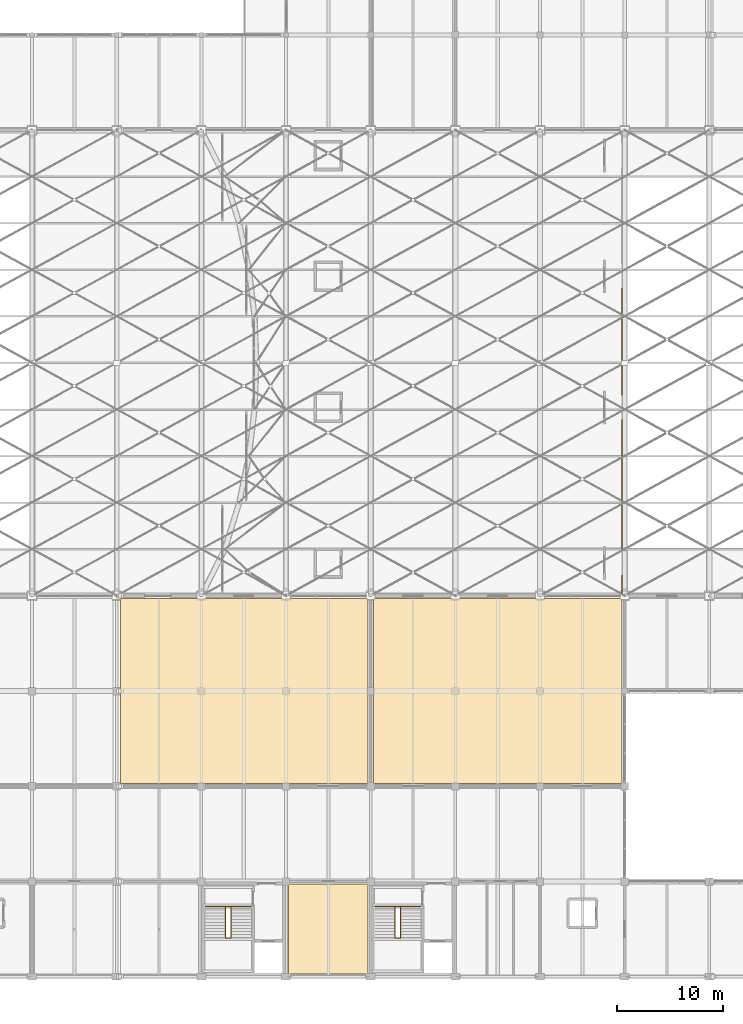
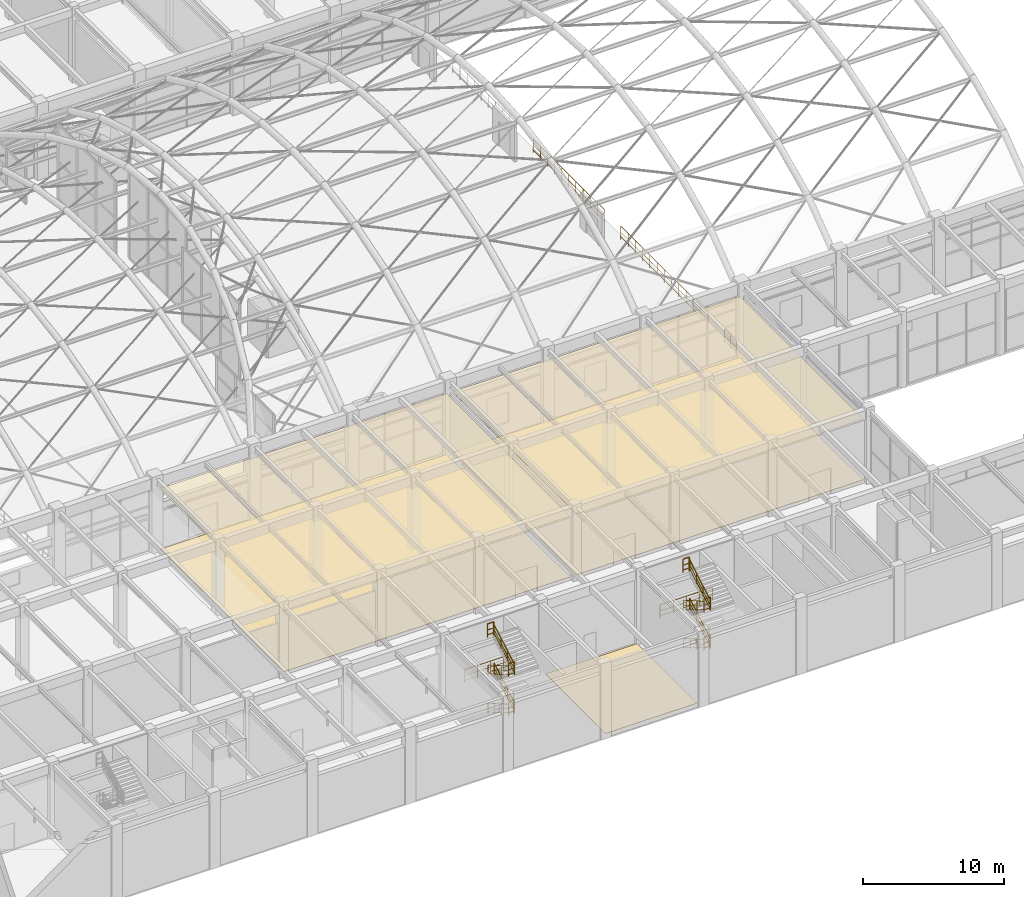
# One storey, part 157 of 163: 19 railings, 5 coverings.
"""IFC4 building model written with IfcOpenShell, lengths in metres."""

from ifc_helpers import new_model, si_unit, direction, frame, origin, origin_2d, place, context, subcontext, project, spatial, polyline, circle, outline, extrude, material, layer, layer_set, type_object, element, save


model = new_model("IFC4")

# Units and contexts
model_context = context("Model", 3, precision=1e-05, world=origin(), true_north=direction((0.0, 1.0)))
body_context = subcontext(model_context, "Body", "Model", "MODEL_VIEW")
ifc_project = project(units=[si_unit("LENGTHUNIT", "METRE"), si_unit("AREAUNIT", "SQUARE_METRE"), si_unit("VOLUMEUNIT", "CUBIC_METRE"), si_unit("PLANEANGLEUNIT", "RADIAN"), si_unit("MASSUNIT", "GRAM", prefix="KILO")], contexts=[model_context])

# Site, building, storey
site_placement = place(None, origin())
site = spatial("IfcSite", under=ifc_project, at=site_placement, CompositionType="ELEMENT")
building_placement = place(site_placement, origin())
building = spatial("IfcBuilding", under=site, at=building_placement, Name="Varnabhumi Central Station", CompositionType="ELEMENT")
storey_placement = place(building_placement, frame((0.0, 0.0, 9.60009765625)))
storey = spatial("IfcBuildingStorey", under=building, at=storey_placement, Name="L02", CompositionType="ELEMENT", Elevation=9.60009765625)

# Coverings
ifc_material_1 = material(Name="Mineral-fibre acoustic tile")
ifc_layer_1 = layer(ifc_material_1, 0.02490234375, Name="Mineral-fibre acoustic tile")
ifc_layer_set_1 = layer_set([ifc_layer_1], Name="Mineral-fibre acoustic tile")
covering_type_1 = type_object("IfcCoveringType", Name="COV-CEIL-ACOUSTIC", PredefinedType="CEILING", material=ifc_layer_set_1)
covering_1_placement = place(storey_placement, frame((0.0, 0.0, 5.27001953125)))
element("IfcCovering", 1, at=covering_1_placement, inside=storey, type_object=covering_type_1, Name="South General Waiting Hall Acoustic Ceiling", PredefinedType="CEILING", context=body_context, shape_type="SweptSolid", body=[
    extrude(outline(polyline([(64.35009765625, 18.25), (87.75, 18.25), (87.75, 35.75), (64.35009765625, 35.75), (64.35009765625, 18.25)])), origin(), (0.0, 0.0, 1.0), 0.02490234375),
])
covering_2_placement = place(storey_placement, frame((0.0, 0.0, 5.27001953125)))
element("IfcCovering", 2, at=covering_2_placement, inside=storey, type_object=covering_type_1, Name="Family Waiting Hall Acoustic Ceiling", PredefinedType="CEILING", context=body_context, shape_type="SweptSolid", body=[
    extrude(outline(polyline([(88.25, 18.25), (111.75, 18.25), (111.75, 35.75), (88.25, 35.75), (88.25, 18.25)])), origin(), (0.0, 0.0, 1.0), 0.02490234375),
])
ifc_material_2 = material(Name="Vitrified granite stone flooring", Category="masonry")
ifc_layer_2 = layer(ifc_material_2, 0.030029296875, Name="Vitrified granite stone flooring", Category="masonry")
ifc_layer_set_2 = layer_set([ifc_layer_2], Name="Vitrified granite stone flooring")
covering_type_2 = type_object("IfcCoveringType", Name="COV-FLOR-GRANITE", PredefinedType="FLOORING", material=ifc_layer_set_2)
covering_3_placement = place(storey_placement, origin())
element("IfcCovering", 3, at=covering_3_placement, inside=storey, type_object=covering_type_2, Name="South General Waiting Hall Granite Flooring", PredefinedType="FLOORING", context=body_context, shape_type="SweptSolid", body=[
    extrude(outline(polyline([(64.35009765625, 18.25), (87.75, 18.25), (87.75, 35.75), (64.35009765625, 35.75), (64.35009765625, 18.25)])), origin(), (0.0, 0.0, 1.0), 0.02978515625),
])
covering_4_placement = place(storey_placement, origin())
element("IfcCovering", 4, at=covering_4_placement, inside=storey, type_object=covering_type_2, Name="Concourse Rail Pass and Tourist Bureau Granite Flooring", PredefinedType="FLOORING", context=body_context, shape_type="SweptSolid", body=[
    extrude(outline(polyline([(80.25, 0.25), (87.75, 0.25), (87.75, 8.75), (80.25, 8.75), (80.25, 0.25)])), origin(), (0.0, 0.0, 1.0), 0.02978515625),
])
covering_5_placement = place(storey_placement, origin())
element("IfcCovering", 5, at=covering_5_placement, inside=storey, type_object=covering_type_2, Name="Family Waiting Hall Granite Flooring", PredefinedType="FLOORING", context=body_context, shape_type="SweptSolid", body=[
    extrude(outline(polyline([(88.25, 18.25), (111.75, 18.25), (111.75, 35.75), (88.25, 35.75), (88.25, 18.25)])), origin(), (0.0, 0.0, 1.0), 0.02978515625),
])

# Railings
ifc_material_3 = material(Name="Stainless steel Grade 316", Category="steel")
railing_type_1 = type_object("IfcRailingType", Name="RAIL-GUARD-1150", PredefinedType="GUARDRAIL", material=ifc_material_3)
railing_1_placement = place(storey_placement, frame((111.75, 36.25, 0.0)))
element("IfcRailing", 6, at=railing_1_placement, inside=storey, type_object=railing_type_1, Name="L02 Concourse Train-Shed Overlook Guard 1", PredefinedType="GUARDRAIL", context=body_context, shape_type="SweptSolid", body=[
    extrude(circle(Radius=0.02392578125, at=origin_2d()), frame((0.0, 0.0, 1.1259765625), z_axis=(0.0, 1.0, 0.0), x_axis=(-1.0, 0.0, 0.0)), (0.0, 0.0, 1.0), 1.669921875),
    extrude(circle(Radius=0.01416015625, at=origin_2d()), frame((0.0, 0.0, 0.597900390625), z_axis=(0.0, 1.0, 0.0), x_axis=(-1.0, 0.0, 0.0)), (0.0, 0.0, 1.0), 1.669921875),
    extrude(circle(Radius=0.01416015625, at=origin_2d()), frame((0.0, 0.0, 0.18408203125), z_axis=(0.0, 1.0, 0.0), x_axis=(-1.0, 0.0, 0.0)), (0.0, 0.0, 1.0), 1.669921875),
    extrude(circle(Radius=0.02099609375, at=origin_2d()), origin(), (0.0, 0.0, 1.0), 1.101806640625),
    extrude(circle(Radius=0.02099609375, at=origin_2d()), frame((0.0, 0.8349609375, 0.0)), (0.0, 0.0, 1.0), 1.101806640625),
    extrude(circle(Radius=0.02099609375, at=origin_2d()), frame((0.0, 1.669921875, 0.0)), (0.0, 0.0, 1.0), 1.101806640625),
])
railing_2_placement = place(storey_placement, frame((111.75, 40.280029296875, 0.0)))
element("IfcRailing", 7, at=railing_2_placement, inside=storey, type_object=railing_type_1, Name="L02 Concourse Train-Shed Overlook Guard 2", PredefinedType="GUARDRAIL", context=body_context, shape_type="SweptSolid", body=[
    extrude(circle(Radius=0.02392578125, at=origin_2d()), frame((0.0, 0.0, 1.1259765625), z_axis=(0.0, 1.0, 0.0), x_axis=(-1.0, 0.0, 0.0)), (0.0, 0.0, 1.0), 12.340087890625),
    extrude(circle(Radius=0.01416015625, at=origin_2d()), frame((0.0, 0.0, 0.597900390625), z_axis=(0.0, 1.0, 0.0), x_axis=(-1.0, 0.0, 0.0)), (0.0, 0.0, 1.0), 12.340087890625),
    extrude(circle(Radius=0.01416015625, at=origin_2d()), frame((0.0, 0.0, 0.18408203125), z_axis=(0.0, 1.0, 0.0), x_axis=(-1.0, 0.0, 0.0)), (0.0, 0.0, 1.0), 12.340087890625),
    extrude(circle(Radius=0.02099609375, at=origin_2d()), origin(), (0.0, 0.0, 1.0), 1.101806640625),
    extrude(circle(Radius=0.02099609375, at=origin_2d()), frame((0.0, 1.0283203125, 0.0)), (0.0, 0.0, 1.0), 1.101806640625),
    extrude(circle(Radius=0.02099609375, at=origin_2d()), frame((0.0, 2.056640625, 0.0)), (0.0, 0.0, 1.0), 1.101806640625),
    extrude(circle(Radius=0.02099609375, at=origin_2d()), frame((0.0, 3.0849609375, 0.0)), (0.0, 0.0, 1.0), 1.101806640625),
    extrude(circle(Radius=0.02099609375, at=origin_2d()), frame((0.0, 4.11328125, 0.0)), (0.0, 0.0, 1.0), 1.101806640625),
    extrude(circle(Radius=0.02099609375, at=origin_2d()), frame((0.0, 5.1416015625, 0.0)), (0.0, 0.0, 1.0), 1.101806640625),
    extrude(circle(Radius=0.02099609375, at=origin_2d()), frame((0.0, 6.169921875, 0.0)), (0.0, 0.0, 1.0), 1.101806640625),
    extrude(circle(Radius=0.02099609375, at=origin_2d()), frame((0.0, 7.198486328125, 0.0)), (0.0, 0.0, 1.0), 1.101806640625),
    extrude(circle(Radius=0.02099609375, at=origin_2d()), frame((0.0, 8.226806640625, 0.0)), (0.0, 0.0, 1.0), 1.101806640625),
    extrude(circle(Radius=0.02099609375, at=origin_2d()), frame((0.0, 9.255126953125, 0.0)), (0.0, 0.0, 1.0), 1.101806640625),
    extrude(circle(Radius=0.02099609375, at=origin_2d()), frame((0.0, 10.283447265625, 0.0)), (0.0, 0.0, 1.0), 1.101806640625),
    extrude(circle(Radius=0.02099609375, at=origin_2d()), frame((0.0, 11.311767578125, 0.0)), (0.0, 0.0, 1.0), 1.101806640625),
    extrude(circle(Radius=0.02099609375, at=origin_2d()), frame((0.0, 12.340087890625, 0.0)), (0.0, 0.0, 1.0), 1.101806640625),
])
railing_3_placement = place(storey_placement, frame((111.75, 54.97998046875, 0.0)))
element("IfcRailing", 8, at=railing_3_placement, inside=storey, type_object=railing_type_1, Name="L02 Concourse Train-Shed Overlook Guard 3", PredefinedType="GUARDRAIL", context=body_context, shape_type="SweptSolid", body=[
    extrude(circle(Radius=0.02392578125, at=origin_2d()), frame((0.0, 0.0, 1.1259765625), z_axis=(0.0, 1.0, 0.0), x_axis=(-1.0, 0.0, 0.0)), (0.0, 0.0, 1.0), 10.0400390625),
    extrude(circle(Radius=0.01416015625, at=origin_2d()), frame((0.0, 0.0, 0.597900390625), z_axis=(0.0, 1.0, 0.0), x_axis=(-1.0, 0.0, 0.0)), (0.0, 0.0, 1.0), 10.0400390625),
    extrude(circle(Radius=0.01416015625, at=origin_2d()), frame((0.0, 0.0, 0.18408203125), z_axis=(0.0, 1.0, 0.0), x_axis=(-1.0, 0.0, 0.0)), (0.0, 0.0, 1.0), 10.0400390625),
    extrude(circle(Radius=0.02099609375, at=origin_2d()), origin(), (0.0, 0.0, 1.0), 1.101806640625),
    extrude(circle(Radius=0.02099609375, at=origin_2d()), frame((0.0, 1.00390625, 0.0)), (0.0, 0.0, 1.0), 1.101806640625),
    extrude(circle(Radius=0.02099609375, at=origin_2d()), frame((0.0, 2.008056640625, 0.0)), (0.0, 0.0, 1.0), 1.101806640625),
    extrude(circle(Radius=0.02099609375, at=origin_2d()), frame((0.0, 3.011962890625, 0.0)), (0.0, 0.0, 1.0), 1.101806640625),
    extrude(circle(Radius=0.02099609375, at=origin_2d()), frame((0.0, 4.01611328125, 0.0)), (0.0, 0.0, 1.0), 1.101806640625),
    extrude(circle(Radius=0.02099609375, at=origin_2d()), frame((0.0, 5.02001953125, 0.0)), (0.0, 0.0, 1.0), 1.101806640625),
    extrude(circle(Radius=0.02099609375, at=origin_2d()), frame((0.0, 6.02392578125, 0.0)), (0.0, 0.0, 1.0), 1.101806640625),
    extrude(circle(Radius=0.02099609375, at=origin_2d()), frame((0.0, 7.028076171875, 0.0)), (0.0, 0.0, 1.0), 1.101806640625),
    extrude(circle(Radius=0.02099609375, at=origin_2d()), frame((0.0, 8.031982421875, 0.0)), (0.0, 0.0, 1.0), 1.101806640625),
    extrude(circle(Radius=0.02099609375, at=origin_2d()), frame((0.0, 9.0361328125, 0.0)), (0.0, 0.0, 1.0), 1.101806640625),
    extrude(circle(Radius=0.02099609375, at=origin_2d()), frame((0.0, 10.0400390625, 0.0)), (0.0, 0.0, 1.0), 1.101806640625),
])
railing_type_2 = type_object("IfcRailingType", Name="RAIL-STAIR-GRD-1150", PredefinedType="GUARDRAIL", material=ifc_material_3)
railing_4_placement = place(storey_placement, frame((90.300048828125, 3.669921875, 1.64990234375)))
element("IfcRailing", 9, at=railing_4_placement, inside=storey, type_object=railing_type_2, Name="ST-S2 L02 Landing Guard 1", PredefinedType="GUARDRAIL", context=body_context, shape_type="SweptSolid", body=[
    extrude(circle(Radius=0.02392578125, at=origin_2d()), frame((0.0, 0.0, 1.1259765625), z_axis=(1.0, 0.0, 0.0), x_axis=(0.0, 1.0, 0.0)), (0.0, 0.0, 1.0), 0.5),
    extrude(circle(Radius=0.01416015625, at=origin_2d()), frame((0.0, 0.0, 0.597900390625), z_axis=(1.0, 0.0, 0.0), x_axis=(0.0, 1.0, 0.0)), (0.0, 0.0, 1.0), 0.5),
    extrude(circle(Radius=0.01416015625, at=origin_2d()), frame((0.0, 0.0, 0.18408203125), z_axis=(1.0, 0.0, 0.0), x_axis=(0.0, 1.0, 0.0)), (0.0, 0.0, 1.0), 0.5),
    extrude(circle(Radius=0.02099609375, at=origin_2d()), origin(), (0.0, 0.0, 1.0), 1.101806640625),
    extrude(circle(Radius=0.02099609375, at=origin_2d()), frame((0.5, 0.0, 0.0)), (0.0, 0.0, 1.0), 1.101806640625),
])
railing_5_placement = place(storey_placement, frame((88.39990234375, 6.639892578125, 3.2998046875)))
element("IfcRailing", 10, at=railing_5_placement, inside=storey, type_object=railing_type_2, Name="ST-S2 L02 Landing Guard 2", PredefinedType="GUARDRAIL", context=body_context, shape_type="SweptSolid", body=[
    extrude(circle(Radius=0.02392578125, at=origin_2d()), frame((0.0, 0.0, 1.1259765625), z_axis=(1.0, 0.0, 0.0), x_axis=(0.0, 1.0, 0.0)), (0.0, 0.0, 1.0), 4.300048828125),
    extrude(circle(Radius=0.01416015625, at=origin_2d()), frame((0.0, 0.0, 0.597900390625), z_axis=(1.0, 0.0, 0.0), x_axis=(0.0, 1.0, 0.0)), (0.0, 0.0, 1.0), 4.300048828125),
    extrude(circle(Radius=0.01416015625, at=origin_2d()), frame((0.0, 0.0, 0.18408203125), z_axis=(1.0, 0.0, 0.0), x_axis=(0.0, 1.0, 0.0)), (0.0, 0.0, 1.0), 4.300048828125),
    extrude(circle(Radius=0.02099609375, at=origin_2d()), origin(), (0.0, 0.0, 1.0), 1.101806640625),
    extrude(circle(Radius=0.02099609375, at=origin_2d()), frame((1.074951171875, 0.0, 0.0)), (0.0, 0.0, 1.0), 1.101806640625),
    extrude(circle(Radius=0.02099609375, at=origin_2d()), frame((2.14990234375, 0.0, 0.0)), (0.0, 0.0, 1.0), 1.101806640625),
    extrude(circle(Radius=0.02099609375, at=origin_2d()), frame((3.22509765625, 0.0, 0.0)), (0.0, 0.0, 1.0), 1.101806640625),
    extrude(circle(Radius=0.02099609375, at=origin_2d()), frame((4.300048828125, 0.0, 0.0)), (0.0, 0.0, 1.0), 1.101806640625),
])
for number, where, name in (
    (11, (90.300048828125, 3.669921875, 4.949951171875), "ST-S2 L02 Landing Guard 3"),
    (12, (90.300048828125, 6.639892578125, 6.599853515625), "ST-S2 L02 Arrival Slot Guard"),
    (13, (74.300048828125, 3.669921875, 1.64990234375), "ST-S4 L02 Landing Guard 1"),
):
    element("IfcRailing", number, at=place(storey_placement, frame(where)), inside=storey, type_object=railing_type_2, Name=name, PredefinedType="GUARDRAIL", context=body_context, shape_type="SweptSolid", body=[
        extrude(circle(Radius=0.02392578125, at=origin_2d()), frame((0.0, 0.0, 1.1259765625), z_axis=(1.0, 0.0, 0.0), x_axis=(0.0, 1.0, 0.0)), (0.0, 0.0, 1.0), 0.5),
        extrude(circle(Radius=0.01416015625, at=origin_2d()), frame((0.0, 0.0, 0.597900390625), z_axis=(1.0, 0.0, 0.0), x_axis=(0.0, 1.0, 0.0)), (0.0, 0.0, 1.0), 0.5),
        extrude(circle(Radius=0.01416015625, at=origin_2d()), frame((0.0, 0.0, 0.18408203125), z_axis=(1.0, 0.0, 0.0), x_axis=(0.0, 1.0, 0.0)), (0.0, 0.0, 1.0), 0.5),
        extrude(circle(Radius=0.02099609375, at=origin_2d()), origin(), (0.0, 0.0, 1.0), 1.101806640625),
        extrude(circle(Radius=0.02099609375, at=origin_2d()), frame((0.5, 0.0, 0.0)), (0.0, 0.0, 1.0), 1.101806640625),
    ])
railing_6_placement = place(storey_placement, frame((72.39990234375, 6.639892578125, 3.2998046875)))
element("IfcRailing", 14, at=railing_6_placement, inside=storey, type_object=railing_type_2, Name="ST-S4 L02 Landing Guard 2", PredefinedType="GUARDRAIL", context=body_context, shape_type="SweptSolid", body=[
    extrude(circle(Radius=0.02392578125, at=origin_2d()), frame((0.0, 0.0, 1.1259765625), z_axis=(1.0, 0.0, 0.0), x_axis=(0.0, 1.0, 0.0)), (0.0, 0.0, 1.0), 4.300048828125),
    extrude(circle(Radius=0.01416015625, at=origin_2d()), frame((0.0, 0.0, 0.597900390625), z_axis=(1.0, 0.0, 0.0), x_axis=(0.0, 1.0, 0.0)), (0.0, 0.0, 1.0), 4.300048828125),
    extrude(circle(Radius=0.01416015625, at=origin_2d()), frame((0.0, 0.0, 0.18408203125), z_axis=(1.0, 0.0, 0.0), x_axis=(0.0, 1.0, 0.0)), (0.0, 0.0, 1.0), 4.300048828125),
    extrude(circle(Radius=0.02099609375, at=origin_2d()), origin(), (0.0, 0.0, 1.0), 1.101806640625),
    extrude(circle(Radius=0.02099609375, at=origin_2d()), frame((1.074951171875, 0.0, 0.0)), (0.0, 0.0, 1.0), 1.101806640625),
    extrude(circle(Radius=0.02099609375, at=origin_2d()), frame((2.14990234375, 0.0, 0.0)), (0.0, 0.0, 1.0), 1.101806640625),
    extrude(circle(Radius=0.02099609375, at=origin_2d()), frame((3.22509765625, 0.0, 0.0)), (0.0, 0.0, 1.0), 1.101806640625),
    extrude(circle(Radius=0.02099609375, at=origin_2d()), frame((4.300048828125, 0.0, 0.0)), (0.0, 0.0, 1.0), 1.101806640625),
])
for number, where, name in (
    (15, (74.300048828125, 3.669921875, 4.949951171875), "ST-S4 L02 Landing Guard 3"),
    (16, (74.300048828125, 6.639892578125, 6.599853515625), "ST-S4 L02 Arrival Slot Guard"),
):
    element("IfcRailing", number, at=place(storey_placement, frame(where)), inside=storey, type_object=railing_type_2, Name=name, PredefinedType="GUARDRAIL", context=body_context, shape_type="SweptSolid", body=[
        extrude(circle(Radius=0.02392578125, at=origin_2d()), frame((0.0, 0.0, 1.1259765625), z_axis=(1.0, 0.0, 0.0), x_axis=(0.0, 1.0, 0.0)), (0.0, 0.0, 1.0), 0.5),
        extrude(circle(Radius=0.01416015625, at=origin_2d()), frame((0.0, 0.0, 0.597900390625), z_axis=(1.0, 0.0, 0.0), x_axis=(0.0, 1.0, 0.0)), (0.0, 0.0, 1.0), 0.5),
        extrude(circle(Radius=0.01416015625, at=origin_2d()), frame((0.0, 0.0, 0.18408203125), z_axis=(1.0, 0.0, 0.0), x_axis=(0.0, 1.0, 0.0)), (0.0, 0.0, 1.0), 0.5),
        extrude(circle(Radius=0.02099609375, at=origin_2d()), origin(), (0.0, 0.0, 1.0), 1.101806640625),
        extrude(circle(Radius=0.02099609375, at=origin_2d()), frame((0.5, 0.0, 0.0)), (0.0, 0.0, 1.0), 1.101806640625),
    ])
railing_type_3 = type_object("IfcRailingType", Name="RAIL-STAIR-HR-920", PredefinedType="HANDRAIL", material=ifc_material_3)
railing_7_placement = place(storey_placement, frame((90.300048828125, 6.580078125, 0.0)))
element("IfcRailing", 17, at=railing_7_placement, inside=storey, type_object=railing_type_3, Name="ST-S2 L02 Handrail 1", PredefinedType="HANDRAIL", context=body_context, shape_type="SweptSolid", body=[
    extrude(circle(Radius=0.02392578125, at=origin_2d()), frame((0.0, 0.0, 0.89599609375), z_axis=(0.0, -0.865446587175, 0.501001202341), x_axis=(1.0, 0.0, 0.0)), (0.0, 0.0, 1.0), 3.293212890625),
    extrude(circle(Radius=0.01416015625, at=origin_2d()), frame((0.0, 0.0, 0.478271484375), z_axis=(0.0, -0.865446587175, 0.501001202341), x_axis=(1.0, 0.0, 0.0)), (0.0, 0.0, 1.0), 3.293212890625),
    extrude(circle(Radius=0.01416015625, at=origin_2d()), frame((0.0, 0.0, 0.147216796875), z_axis=(0.0, -0.865446587175, 0.501001202341), x_axis=(1.0, 0.0, 0.0)), (0.0, 0.0, 1.0), 3.293212890625),
    extrude(circle(Radius=0.02099609375, at=origin_2d()), origin(), (0.0, 0.0, 1.0), 0.871826171875),
    extrude(circle(Radius=0.02099609375, at=origin_2d()), frame((0.0, -0.949951171875, 0.550048828125)), (0.0, 0.0, 1.0), 0.871826171875),
    extrude(circle(Radius=0.02099609375, at=origin_2d()), frame((0.0, -1.900146484375, 1.099853515625)), (0.0, 0.0, 1.0), 0.871826171875),
    extrude(circle(Radius=0.02099609375, at=origin_2d()), frame((0.0, -2.85009765625, 1.64990234375)), (0.0, 0.0, 1.0), 0.871826171875),
])
railing_8_placement = place(storey_placement, frame((90.800048828125, 3.72998046875, 1.64990234375)))
element("IfcRailing", 18, at=railing_8_placement, inside=storey, type_object=railing_type_3, Name="ST-S2 L02 Handrail 2", PredefinedType="HANDRAIL", context=body_context, shape_type="SweptSolid", body=[
    extrude(circle(Radius=0.02392578125, at=origin_2d()), frame((0.0, 0.0, 0.89599609375), z_axis=(0.0, 0.865446587175, 0.501001202341), x_axis=(-1.0, 0.0, 0.0)), (0.0, 0.0, 1.0), 3.293212890625),
    extrude(circle(Radius=0.01416015625, at=origin_2d()), frame((0.0, 0.0, 0.478271484375), z_axis=(0.0, 0.865446587175, 0.501001202341), x_axis=(-1.0, 0.0, 0.0)), (0.0, 0.0, 1.0), 3.293212890625),
    extrude(circle(Radius=0.01416015625, at=origin_2d()), frame((0.0, 0.0, 0.147216796875), z_axis=(0.0, 0.865446587175, 0.501001202341), x_axis=(-1.0, 0.0, 0.0)), (0.0, 0.0, 1.0), 3.293212890625),
    extrude(circle(Radius=0.02099609375, at=origin_2d()), origin(), (0.0, 0.0, 1.0), 0.871826171875),
    extrude(circle(Radius=0.02099609375, at=origin_2d()), frame((0.0, 0.949951171875, 0.550048828125)), (0.0, 0.0, 1.0), 0.871826171875),
    extrude(circle(Radius=0.02099609375, at=origin_2d()), frame((0.0, 1.900146484375, 1.099853515625)), (0.0, 0.0, 1.0), 0.871826171875),
    extrude(circle(Radius=0.02099609375, at=origin_2d()), frame((0.0, 2.85009765625, 1.64990234375)), (0.0, 0.0, 1.0), 0.871826171875),
])
railing_9_placement = place(storey_placement, frame((90.300048828125, 6.580078125, 3.2998046875)))
element("IfcRailing", 19, at=railing_9_placement, inside=storey, type_object=railing_type_3, Name="ST-S2 L02 Handrail 3", PredefinedType="HANDRAIL", context=body_context, shape_type="SweptSolid", body=[
    extrude(circle(Radius=0.02392578125, at=origin_2d()), frame((0.0, 0.0, 0.89599609375), z_axis=(0.0, -0.86541444261, 0.501056725852), x_axis=(1.0, 0.0, 0.0)), (0.0, 0.0, 1.0), 3.293212890625),
    extrude(circle(Radius=0.01416015625, at=origin_2d()), frame((0.0, 0.0, 0.478271484375), z_axis=(0.0, -0.86541444261, 0.501056725852), x_axis=(1.0, 0.0, 0.0)), (0.0, 0.0, 1.0), 3.293212890625),
    extrude(circle(Radius=0.01416015625, at=origin_2d()), frame((0.0, 0.0, 0.147216796875), z_axis=(0.0, -0.86541444261, 0.501056725852), x_axis=(1.0, 0.0, 0.0)), (0.0, 0.0, 1.0), 3.293212890625),
    extrude(circle(Radius=0.02099609375, at=origin_2d()), origin(), (0.0, 0.0, 1.0), 0.871826171875),
    extrude(circle(Radius=0.02099609375, at=origin_2d()), frame((0.0, -0.949951171875, 0.550048828125)), (0.0, 0.0, 1.0), 0.871826171875),
    extrude(circle(Radius=0.02099609375, at=origin_2d()), frame((0.0, -1.900146484375, 1.10009765625)), (0.0, 0.0, 1.0), 0.871826171875),
    extrude(circle(Radius=0.02099609375, at=origin_2d()), frame((0.0, -2.85009765625, 1.650146484375)), (0.0, 0.0, 1.0), 0.871826171875),
])
railing_10_placement = place(storey_placement, frame((90.800048828125, 3.72998046875, 4.949951171875)))
element("IfcRailing", 20, at=railing_10_placement, inside=storey, type_object=railing_type_3, Name="ST-S2 L02 Handrail 4", PredefinedType="HANDRAIL", context=body_context, shape_type="SweptSolid", body=[
    extrude(circle(Radius=0.02392578125, at=origin_2d()), frame((0.0, 0.0, 0.89599609375), z_axis=(0.0, 0.865446587175, 0.501001202341), x_axis=(-1.0, 0.0, 0.0)), (0.0, 0.0, 1.0), 3.293212890625),
    extrude(circle(Radius=0.01416015625, at=origin_2d()), frame((0.0, 0.0, 0.478271484375), z_axis=(0.0, 0.865446587175, 0.501001202341), x_axis=(-1.0, 0.0, 0.0)), (0.0, 0.0, 1.0), 3.293212890625),
    extrude(circle(Radius=0.01416015625, at=origin_2d()), frame((0.0, 0.0, 0.147216796875), z_axis=(0.0, 0.865446587175, 0.501001202341), x_axis=(-1.0, 0.0, 0.0)), (0.0, 0.0, 1.0), 3.293212890625),
    extrude(circle(Radius=0.02099609375, at=origin_2d()), origin(), (0.0, 0.0, 1.0), 0.871826171875),
    extrude(circle(Radius=0.02099609375, at=origin_2d()), frame((0.0, 0.949951171875, 0.550048828125)), (0.0, 0.0, 1.0), 0.871826171875),
    extrude(circle(Radius=0.02099609375, at=origin_2d()), frame((0.0, 1.900146484375, 1.099853515625)), (0.0, 0.0, 1.0), 0.871826171875),
    extrude(circle(Radius=0.02099609375, at=origin_2d()), frame((0.0, 2.85009765625, 1.64990234375)), (0.0, 0.0, 1.0), 0.871826171875),
])
railing_11_placement = place(storey_placement, frame((74.300048828125, 6.580078125, 0.0)))
element("IfcRailing", 21, at=railing_11_placement, inside=storey, type_object=railing_type_3, Name="ST-S4 L02 Handrail 1", PredefinedType="HANDRAIL", context=body_context, shape_type="SweptSolid", body=[
    extrude(circle(Radius=0.02392578125, at=origin_2d()), frame((0.0, 0.0, 0.89599609375), z_axis=(0.0, -0.865446587175, 0.501001202341), x_axis=(1.0, 0.0, 0.0)), (0.0, 0.0, 1.0), 3.293212890625),
    extrude(circle(Radius=0.01416015625, at=origin_2d()), frame((0.0, 0.0, 0.478271484375), z_axis=(0.0, -0.865446587175, 0.501001202341), x_axis=(1.0, 0.0, 0.0)), (0.0, 0.0, 1.0), 3.293212890625),
    extrude(circle(Radius=0.01416015625, at=origin_2d()), frame((0.0, 0.0, 0.147216796875), z_axis=(0.0, -0.865446587175, 0.501001202341), x_axis=(1.0, 0.0, 0.0)), (0.0, 0.0, 1.0), 3.293212890625),
    extrude(circle(Radius=0.02099609375, at=origin_2d()), origin(), (0.0, 0.0, 1.0), 0.871826171875),
    extrude(circle(Radius=0.02099609375, at=origin_2d()), frame((0.0, -0.949951171875, 0.550048828125)), (0.0, 0.0, 1.0), 0.871826171875),
    extrude(circle(Radius=0.02099609375, at=origin_2d()), frame((0.0, -1.900146484375, 1.099853515625)), (0.0, 0.0, 1.0), 0.871826171875),
    extrude(circle(Radius=0.02099609375, at=origin_2d()), frame((0.0, -2.85009765625, 1.64990234375)), (0.0, 0.0, 1.0), 0.871826171875),
])
railing_12_placement = place(storey_placement, frame((74.800048828125, 3.72998046875, 1.64990234375)))
element("IfcRailing", 22, at=railing_12_placement, inside=storey, type_object=railing_type_3, Name="ST-S4 L02 Handrail 2", PredefinedType="HANDRAIL", context=body_context, shape_type="SweptSolid", body=[
    extrude(circle(Radius=0.02392578125, at=origin_2d()), frame((0.0, 0.0, 0.89599609375), z_axis=(0.0, 0.865446587175, 0.501001202341), x_axis=(-1.0, 0.0, 0.0)), (0.0, 0.0, 1.0), 3.293212890625),
    extrude(circle(Radius=0.01416015625, at=origin_2d()), frame((0.0, 0.0, 0.478271484375), z_axis=(0.0, 0.865446587175, 0.501001202341), x_axis=(-1.0, 0.0, 0.0)), (0.0, 0.0, 1.0), 3.293212890625),
    extrude(circle(Radius=0.01416015625, at=origin_2d()), frame((0.0, 0.0, 0.147216796875), z_axis=(0.0, 0.865446587175, 0.501001202341), x_axis=(-1.0, 0.0, 0.0)), (0.0, 0.0, 1.0), 3.293212890625),
    extrude(circle(Radius=0.02099609375, at=origin_2d()), origin(), (0.0, 0.0, 1.0), 0.871826171875),
    extrude(circle(Radius=0.02099609375, at=origin_2d()), frame((0.0, 0.949951171875, 0.550048828125)), (0.0, 0.0, 1.0), 0.871826171875),
    extrude(circle(Radius=0.02099609375, at=origin_2d()), frame((0.0, 1.900146484375, 1.099853515625)), (0.0, 0.0, 1.0), 0.871826171875),
    extrude(circle(Radius=0.02099609375, at=origin_2d()), frame((0.0, 2.85009765625, 1.64990234375)), (0.0, 0.0, 1.0), 0.871826171875),
])
railing_13_placement = place(storey_placement, frame((74.300048828125, 6.580078125, 3.2998046875)))
element("IfcRailing", 23, at=railing_13_placement, inside=storey, type_object=railing_type_3, Name="ST-S4 L02 Handrail 3", PredefinedType="HANDRAIL", context=body_context, shape_type="SweptSolid", body=[
    extrude(circle(Radius=0.02392578125, at=origin_2d()), frame((0.0, 0.0, 0.89599609375), z_axis=(0.0, -0.86541444261, 0.501056725852), x_axis=(1.0, 0.0, 0.0)), (0.0, 0.0, 1.0), 3.293212890625),
    extrude(circle(Radius=0.01416015625, at=origin_2d()), frame((0.0, 0.0, 0.478271484375), z_axis=(0.0, -0.86541444261, 0.501056725852), x_axis=(1.0, 0.0, 0.0)), (0.0, 0.0, 1.0), 3.293212890625),
    extrude(circle(Radius=0.01416015625, at=origin_2d()), frame((0.0, 0.0, 0.147216796875), z_axis=(0.0, -0.86541444261, 0.501056725852), x_axis=(1.0, 0.0, 0.0)), (0.0, 0.0, 1.0), 3.293212890625),
    extrude(circle(Radius=0.02099609375, at=origin_2d()), origin(), (0.0, 0.0, 1.0), 0.871826171875),
    extrude(circle(Radius=0.02099609375, at=origin_2d()), frame((0.0, -0.949951171875, 0.550048828125)), (0.0, 0.0, 1.0), 0.871826171875),
    extrude(circle(Radius=0.02099609375, at=origin_2d()), frame((0.0, -1.900146484375, 1.10009765625)), (0.0, 0.0, 1.0), 0.871826171875),
    extrude(circle(Radius=0.02099609375, at=origin_2d()), frame((0.0, -2.85009765625, 1.650146484375)), (0.0, 0.0, 1.0), 0.871826171875),
])
railing_14_placement = place(storey_placement, frame((74.800048828125, 3.72998046875, 4.949951171875)))
element("IfcRailing", 24, at=railing_14_placement, inside=storey, type_object=railing_type_3, Name="ST-S4 L02 Handrail 4", PredefinedType="HANDRAIL", context=body_context, shape_type="SweptSolid", body=[
    extrude(circle(Radius=0.02392578125, at=origin_2d()), frame((0.0, 0.0, 0.89599609375), z_axis=(0.0, 0.865446587175, 0.501001202341), x_axis=(-1.0, 0.0, 0.0)), (0.0, 0.0, 1.0), 3.293212890625),
    extrude(circle(Radius=0.01416015625, at=origin_2d()), frame((0.0, 0.0, 0.478271484375), z_axis=(0.0, 0.865446587175, 0.501001202341), x_axis=(-1.0, 0.0, 0.0)), (0.0, 0.0, 1.0), 3.293212890625),
    extrude(circle(Radius=0.01416015625, at=origin_2d()), frame((0.0, 0.0, 0.147216796875), z_axis=(0.0, 0.865446587175, 0.501001202341), x_axis=(-1.0, 0.0, 0.0)), (0.0, 0.0, 1.0), 3.293212890625),
    extrude(circle(Radius=0.02099609375, at=origin_2d()), origin(), (0.0, 0.0, 1.0), 0.871826171875),
    extrude(circle(Radius=0.02099609375, at=origin_2d()), frame((0.0, 0.949951171875, 0.550048828125)), (0.0, 0.0, 1.0), 0.871826171875),
    extrude(circle(Radius=0.02099609375, at=origin_2d()), frame((0.0, 1.900146484375, 1.099853515625)), (0.0, 0.0, 1.0), 0.871826171875),
    extrude(circle(Radius=0.02099609375, at=origin_2d()), frame((0.0, 2.85009765625, 1.64990234375)), (0.0, 0.0, 1.0), 0.871826171875),
])

save(model, "model.ifc")
